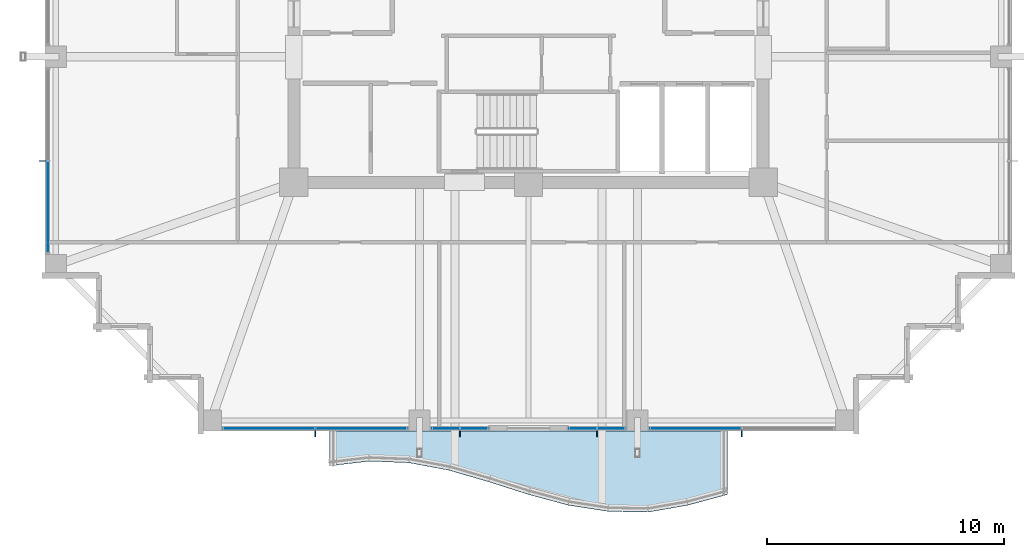
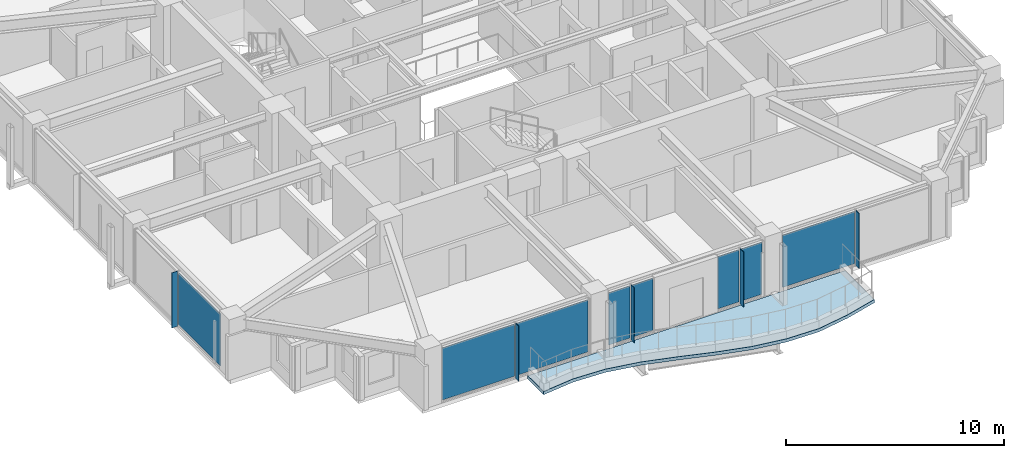
# One storey, part 25 of 37: 13 plates, 1 slab, 5 elements without a shape of their own.
"""IFC4 building model written with IfcOpenShell, lengths in metres."""

from ifc_helpers import new_model, si_unit, direction, frame, origin, origin_2d, place, context, subcontext, project, spatial, polyline, rectangle, outline, extrude, material, layer, layer_set, type_object, element, aggregate, save


model = new_model("IFC4")

# Units and contexts
model_context = context("Model", 3, precision=1e-05, world=origin(), true_north=direction((0.0, 1.0)))
body_context = subcontext(model_context, "Body", "Model", "MODEL_VIEW")
ifc_project = project(units=[si_unit("LENGTHUNIT", "METRE"), si_unit("AREAUNIT", "SQUARE_METRE"), si_unit("VOLUMEUNIT", "CUBIC_METRE"), si_unit("PLANEANGLEUNIT", "RADIAN"), si_unit("MASSUNIT", "GRAM", prefix="KILO")], contexts=[model_context])

# Site, building, storey
site_placement = place(None, origin())
site = spatial("IfcSite", under=ifc_project, at=site_placement, CompositionType="ELEMENT")
building_placement = place(site_placement, origin())
building = spatial("IfcBuilding", under=site, at=building_placement, Name="Kolvaren Belvedere", CompositionType="ELEMENT")
storey_placement = place(building_placement, frame((0.0, 0.0, 180.0)))
storey = spatial("IfcBuildingStorey", under=building, at=storey_placement, Name="L52", CompositionType="ELEMENT", Elevation=180.0)

# Curtain wall, plate
ifc_material_1 = material(Name="Anodised pale-metal aluminium AA 6063-T6", Category="aluminium")
curtain_wall_type = type_object("IfcCurtainWallType", Name="CW-Z5-HIGH", PredefinedType="NOTDEFINED", material=ifc_material_1)
curtain_wall_1_placement = place(storey_placement, origin())
curtain_wall_1 = element("IfcCurtainWall", 1, at=curtain_wall_1_placement, inside=storey, type_object=curtain_wall_type, Name="L52 Unitised Curtain Wall FCW-L52-S1-B1", PredefinedType="NOTDEFINED")
ifc_material_2 = material(Name="Low-iron triple insulated glass", Category="glass")
ifc_layer_1 = layer(ifc_material_2, 0.028076171875)
ifc_layer_set_1 = layer_set([ifc_layer_1], Name="Low-iron triple insulated glass")
plate_type_1 = type_object("IfcPlateType", Name="CW-PNL-VIS28", PredefinedType="CURTAIN_PANEL", material=ifc_layer_set_1)
plate_1_placement = place(storey_placement, frame((7.052490234375, -20.280029296875, 0.080078125), z_axis=(0.0, 0.0, 1.0), x_axis=(-1.0, 0.0, 0.0)))
plate_1 = element("IfcPlate", 2, at=plate_1_placement, type_object=plate_type_1, Name="FCW-L52-S1-B1 Vision Glazing Panel 2", PredefinedType="CURTAIN_PANEL", context=body_context, shape_type="SweptSolid", body=[
    extrude(rectangle(XDim=3.81494140625, YDim=0.028076171875, at=origin_2d()), origin(), (0.0, 0.0, 1.0), 2.919921875),
])
aggregate(curtain_wall_1, [plate_1])

# Curtain wall, plates
curtain_wall_2_placement = place(storey_placement, origin())
curtain_wall_2 = element("IfcCurtainWall", 3, at=curtain_wall_2_placement, inside=storey, type_object=curtain_wall_type, Name="L52 Unitised Curtain Wall FCW-L52-S1-B2", PredefinedType="NOTDEFINED")
plate_2_placement = place(storey_placement, frame((3.4912109375, -20.280029296875, 0.080078125), z_axis=(0.0, 0.0, 1.0), x_axis=(-1.0, 0.0, 0.0)))
plate_2 = element("IfcPlate", 4, at=plate_2_placement, type_object=plate_type_1, Name="FCW-L52-S1-B2 Vision Glazing Panel 1", PredefinedType="CURTAIN_PANEL", context=body_context, shape_type="SweptSolid", body=[
    extrude(rectangle(XDim=1.12744140625, YDim=0.028076171875, at=origin_2d()), origin(), (0.0, 0.0, 1.0), 2.919921875),
])
plate_3_placement = place(storey_placement, frame((2.28369140625, -20.280029296875, 0.080078125), z_axis=(0.0, 0.0, 1.0), x_axis=(-1.0, 0.0, 0.0)))
plate_3 = element("IfcPlate", 5, at=plate_3_placement, type_object=plate_type_1, Name="FCW-L52-S1-B2 Vision Glazing Panel 2", PredefinedType="CURTAIN_PANEL", context=body_context, shape_type="SweptSolid", body=[
    extrude(rectangle(XDim=1.12744140625, YDim=0.028076171875, at=origin_2d()), origin(), (0.0, 0.0, 1.0), 2.919921875),
])
aggregate(curtain_wall_2, [plate_2, plate_3])

curtain_wall_3_placement = place(storey_placement, origin())
curtain_wall_3 = element("IfcCurtainWall", 6, at=curtain_wall_3_placement, inside=storey, type_object=curtain_wall_type, Name="L52 Unitised Curtain Wall FCW-L52-S2-B1", PredefinedType="NOTDEFINED")
plate_4_placement = place(storey_placement, frame((-2.28369140625, -20.280029296875, 0.080078125), z_axis=(0.0, 0.0, 1.0), x_axis=(-1.0, 0.0, 0.0)))
plate_4 = element("IfcPlate", 7, at=plate_4_placement, type_object=plate_type_1, Name="FCW-L52-S2-B1 Vision Glazing Panel 1", PredefinedType="CURTAIN_PANEL", context=body_context, shape_type="SweptSolid", body=[
    extrude(rectangle(XDim=1.12744140625, YDim=0.028076171875, at=origin_2d()), origin(), (0.0, 0.0, 1.0), 2.919921875),
])
plate_5_placement = place(storey_placement, frame((-3.4912109375, -20.280029296875, 0.080078125), z_axis=(0.0, 0.0, 1.0), x_axis=(-1.0, 0.0, 0.0)))
plate_5 = element("IfcPlate", 8, at=plate_5_placement, type_object=plate_type_1, Name="FCW-L52-S2-B1 Vision Glazing Panel 2", PredefinedType="CURTAIN_PANEL", context=body_context, shape_type="SweptSolid", body=[
    extrude(rectangle(XDim=1.12744140625, YDim=0.028076171875, at=origin_2d()), origin(), (0.0, 0.0, 1.0), 2.919921875),
])
aggregate(curtain_wall_3, [plate_4, plate_5])

curtain_wall_4_placement = place(storey_placement, origin())
curtain_wall_4 = element("IfcCurtainWall", 9, at=curtain_wall_4_placement, inside=storey, type_object=curtain_wall_type, Name="L52 Unitised Curtain Wall FCW-L52-S2-B2", PredefinedType="NOTDEFINED")
plate_6_placement = place(storey_placement, frame((-7.052490234375, -20.280029296875, 0.080078125), z_axis=(0.0, 0.0, 1.0), x_axis=(-1.0, 0.0, 0.0)))
plate_6 = element("IfcPlate", 10, at=plate_6_placement, type_object=plate_type_1, Name="FCW-L52-S2-B2 Vision Glazing Panel 1", PredefinedType="CURTAIN_PANEL", context=body_context, shape_type="SweptSolid", body=[
    extrude(rectangle(XDim=3.81494140625, YDim=0.028076171875, at=origin_2d()), origin(), (0.0, 0.0, 1.0), 2.919921875),
])
plate_7_placement = place(storey_placement, frame((-10.947509765625, -20.280029296875, 0.080078125), z_axis=(0.0, 0.0, 1.0), x_axis=(-1.0, 0.0, 0.0)))
plate_7 = element("IfcPlate", 11, at=plate_7_placement, type_object=plate_type_1, Name="FCW-L52-S2-B2 Vision Glazing Panel 2", PredefinedType="CURTAIN_PANEL", context=body_context, shape_type="SweptSolid", body=[
    extrude(rectangle(XDim=3.81494140625, YDim=0.028076171875, at=origin_2d()), origin(), (0.0, 0.0, 1.0), 2.919921875),
])
aggregate(curtain_wall_4, [plate_6, plate_7])

# Curtain wall, plate
curtain_wall_5_placement = place(storey_placement, origin())
curtain_wall_5 = element("IfcCurtainWall", 12, at=curtain_wall_5_placement, inside=storey, type_object=curtain_wall_type, Name="L52 Unitised Curtain Wall FCW-L52-W-B1", PredefinedType="NOTDEFINED")
plate_8_placement = place(storey_placement, frame((-20.280029296875, -10.947509765625, 0.080078125), z_axis=(0.0, 0.0, 1.0), x_axis=(0.0, 1.0, 0.0)))
plate_8 = element("IfcPlate", 13, at=plate_8_placement, type_object=plate_type_1, Name="FCW-L52-W-B1 Vision Glazing Panel 1", PredefinedType="CURTAIN_PANEL", context=body_context, shape_type="SweptSolid", body=[
    extrude(rectangle(XDim=3.81494140625, YDim=0.028076171875, at=origin_2d()), origin(), (0.0, 0.0, 1.0), 2.919921875),
])
aggregate(curtain_wall_5, [plate_8])

# Plates
ifc_material_3 = material(Name="Anodised pale-metal aluminium AA 6063-T6", Category="aluminium")
ifc_layer_2 = layer(ifc_material_3, 0.030029296875)
ifc_layer_set_2 = layer_set([ifc_layer_2], Name="Anodised pale-metal aluminium AA 6063-T6")
plate_type_2 = type_object("IfcPlateType", Name="FIN-VERT-300", PredefinedType="USERDEFINED", material=ifc_layer_set_2)
for number, where, z_axis, x_axis, name in (
    (14, (9.0, -20.489990234375, 0.0), (0.0, 0.0, 1.0), (0.0, 1.0, 0.0), "L52 Pale-Metal Vertical Shading Fin FCW-L52-S1-B1-1"),
    (15, (2.887451171875, -20.489990234375, 0.0), (0.0, 0.0, 1.0), (0.0, 1.0, 0.0), "L52 Pale-Metal Vertical Shading Fin FCW-L52-S1-B2-1"),
    (16, (-2.887451171875, -20.489990234375, 0.0), (0.0, 0.0, 1.0), (0.0, 1.0, 0.0), "L52 Pale-Metal Vertical Shading Fin FCW-L52-S2-B1-1"),
    (17, (-9.0, -20.489990234375, 0.0), (0.0, 0.0, 1.0), (0.0, 1.0, 0.0), "L52 Pale-Metal Vertical Shading Fin FCW-L52-S2-B2-1"),
    (18, (-20.489990234375, -9.0, 0.0), (0.0, 0.0, 1.0), (1.0, 0.0, 0.0), "L52 Pale-Metal Vertical Shading Fin FCW-L52-W-B1-1"),
):
    element("IfcPlate", number, at=place(storey_placement, frame(where, z_axis=z_axis, x_axis=x_axis)), inside=storey, type_object=plate_type_2, Name=name, ObjectType="VERTICAL FIN", PredefinedType="USERDEFINED", context=body_context, shape_type="SweptSolid", body=[
        extrude(rectangle(XDim=0.300048828125, YDim=0.030029296875, at=origin_2d()), origin(), (0.0, 0.0, 1.0), 3.080078125),
    ])

# Slab
ifc_material_4 = material(Name="Concrete C50/60", Category="concrete")
ifc_layer_3 = layer(ifc_material_4, 0.179931640625)
ifc_layer_set_3 = layer_set([ifc_layer_3], Name="Concrete C50/60")
slab_type = type_object("IfcSlabType", Name="SL-BAL-180", PredefinedType="FLOOR", material=ifc_layer_set_3)
slab_placement = place(storey_placement, frame((0.0, 0.0, -0.219970703125)))
element("IfcSlab", 19, at=slab_placement, inside=storey, type_object=slab_type, Name="L52 Planted Balcony BAL-S", PredefinedType="FLOOR", context=body_context, shape_type="SweptSolid", body=[
    extrude(outline(polyline([(-8.39990234375, -21.8662109375), (-6.719970703125, -21.66845703125), (-5.0400390625, -21.73583984375), (-3.360107421875, -22.051513671875), (-1.679931640625, -22.53759765625), (0.0, -23.07373046875), (1.679931640625, -23.52734375), (3.360107421875, -23.7861328125), (5.0400390625, -23.820068359375), (6.719970703125, -23.52734375), (8.39990234375, -23.07373046875), (8.39990234375, -20.39990234375), (6.719970703125, -20.39990234375), (5.0400390625, -20.39990234375), (3.360107421875, -20.39990234375), (1.679931640625, -20.39990234375), (0.0, -20.39990234375), (-1.679931640625, -20.39990234375), (-3.360107421875, -20.39990234375), (-5.0400390625, -20.39990234375), (-6.719970703125, -20.39990234375), (-8.39990234375, -20.39990234375), (-8.39990234375, -21.8662109375)])), origin(), (0.0, 0.0, 1.0), 0.179931640625),
])

save(model, "model.ifc")
